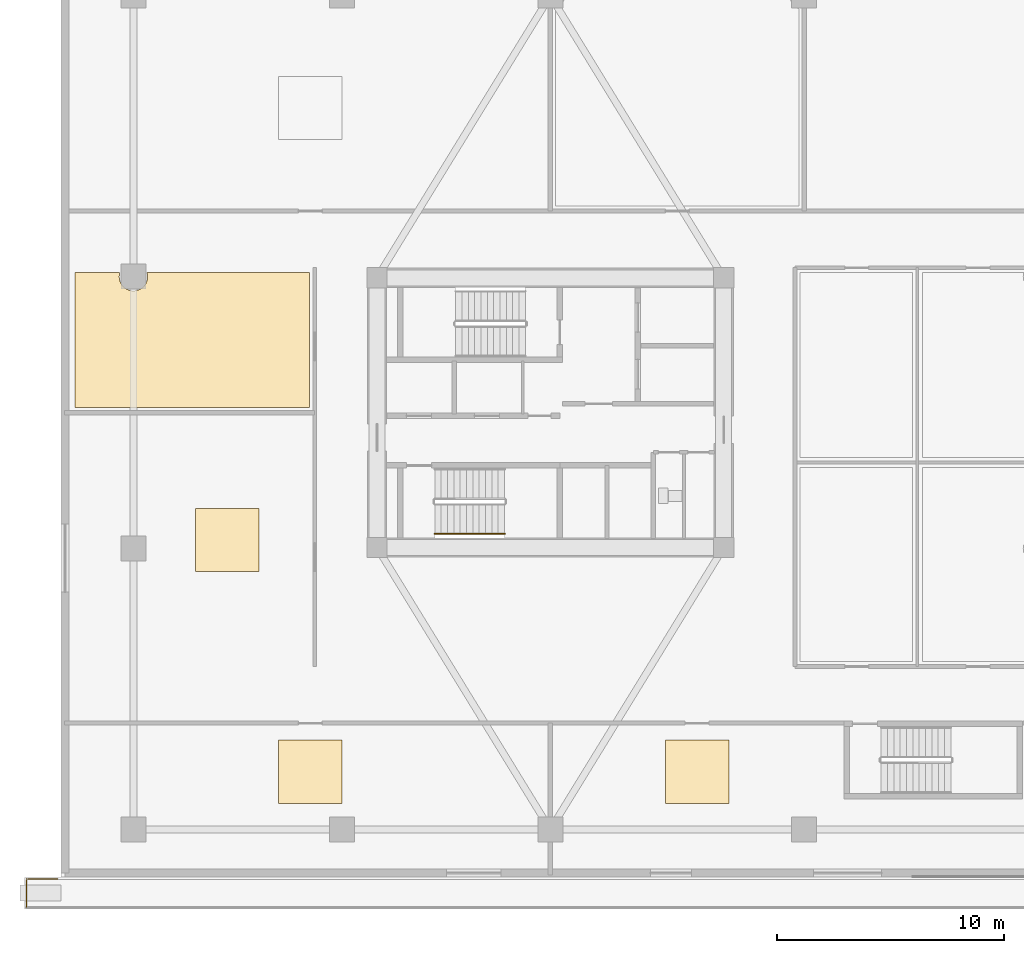
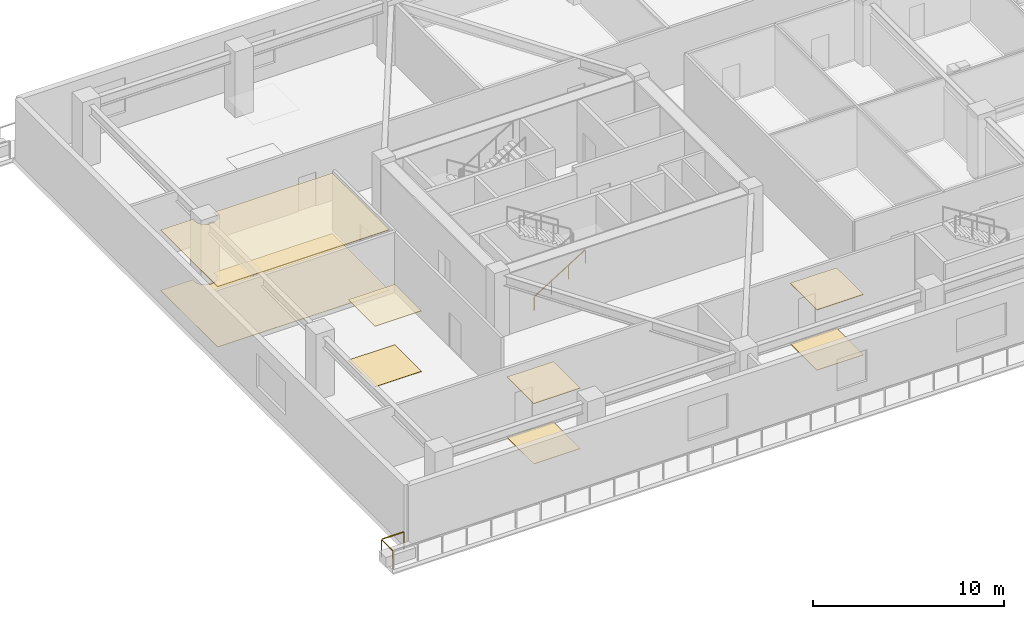
# One storey, part 13 of 22: 8 coverings, 2 railings.
"""IFC4 building model written with IfcOpenShell, lengths in metres."""

from ifc_helpers import new_model, si_unit, direction, frame, origin, origin_2d, place, context, subcontext, project, spatial, polyline, rectangle, outline, extrude, material, layer, layer_set, type_object, element, save


model = new_model("IFC4")

# Units and contexts
model_context = context("Model", 3, precision=1e-05, world=origin(), true_north=direction((0.0, 1.0)))
body_context = subcontext(model_context, "Body", "Model", "MODEL_VIEW")
ifc_project = project(units=[si_unit("LENGTHUNIT", "METRE"), si_unit("AREAUNIT", "SQUARE_METRE"), si_unit("VOLUMEUNIT", "CUBIC_METRE"), si_unit("PLANEANGLEUNIT", "RADIAN"), si_unit("MASSUNIT", "GRAM", prefix="KILO")], contexts=[model_context])

# Site, building, storey
site_placement = place(None, origin())
site = spatial("IfcSite", under=ifc_project, at=site_placement, CompositionType="ELEMENT")
building_placement = place(site_placement, origin())
building = spatial("IfcBuilding", under=site, at=building_placement, Name="Norrkilde Senior Care Towers", CompositionType="ELEMENT")
storey_placement = place(building_placement, frame((0.0, 0.0, 12.60009765625)))
storey = spatial("IfcBuildingStorey", under=building, at=storey_placement, Name="L03", CompositionType="ELEMENT", Elevation=12.60009765625)

# Coverings
ifc_material_1 = material(Name="Nordic Ash Timber", Category="wood")
ifc_layer_1 = layer(ifc_material_1, 0.044921875)
ifc_layer_set_1 = layer_set([ifc_layer_1], Name="Nordic Ash Timber")
covering_type_1 = type_object("IfcCoveringType", Name="Acoustic Ash Timber Slatted Ceiling 45", PredefinedType="CEILING", material=ifc_layer_set_1)
covering_1_placement = place(storey_placement, frame((0.0, 0.0, 3.8349609375)))
element("IfcCovering", 1, at=covering_1_placement, inside=storey, type_object=covering_type_1, Name="L03 Suspended Ceiling 0071", PredefinedType="CEILING", context=body_context, shape_type="SweptSolid", body=[
    extrude(outline(polyline([(-38.6201171875, 0.219970703125), (-48.97998046875, 0.219970703125), (-48.97998046875, 6.179931640625), (-47.00146484375, 6.179931640625), (-47.008544921875, 6.1630859375), (-47.030029296875, 6.0), (-47.008544921875, 5.8369140625), (-46.945556640625, 5.68505859375), (-46.845458984375, 5.554443359375), (-46.715087890625, 5.454345703125), (-46.56298828125, 5.391357421875), (-46.39990234375, 5.3701171875), (-46.237060546875, 5.391357421875), (-46.0849609375, 5.454345703125), (-45.95458984375, 5.554443359375), (-45.8544921875, 5.68505859375), (-45.79150390625, 5.8369140625), (-45.77001953125, 6.0), (-45.79150390625, 6.1630859375), (-45.798583984375, 6.179931640625), (-38.6201171875, 6.179931640625), (-38.6201171875, 0.219970703125)])), origin(), (0.0, 0.0, 1.0), 0.044921875),
])
covering_2_placement = place(storey_placement, frame((0.0, 0.0, 3.8349609375)))
element("IfcCovering", 2, at=covering_2_placement, inside=storey, type_object=covering_type_1, Name="L03 Suspended Ceiling 0092", PredefinedType="CEILING", context=body_context, shape_type="SweptSolid", body=[
    extrude(outline(polyline([(-22.925048828125, -17.2548828125), (-22.925048828125, -14.455078125), (-20.125, -14.455078125), (-20.125, -17.2548828125), (-22.925048828125, -17.2548828125)])), origin(), (0.0, 0.0, 1.0), 0.044921875),
])

# Railing
ifc_material_2 = material(Name="Anodised Aluminium", Category="aluminium")
railing_type_1 = type_object("IfcRailingType", Name="Balcony Swirl Ribbon Guardrail 1150", PredefinedType="GUARDRAIL", material=ifc_material_2)
railing_1_placement = place(storey_placement, frame((-51.1201171875, -21.820068359375, 0.0)))
element("IfcRailing", 3, at=railing_1_placement, inside=storey, type_object=railing_type_1, Name="L03 Perimeter Safety Guard 01", PredefinedType="GUARDRAIL", context=body_context, shape_type="SweptSolid", body=[
    extrude(rectangle(XDim=0.048095703125, YDim=0.048095703125, at=origin_2d()), frame((0.0, 0.0, 1.1259765625), z_axis=(0.0, 1.0, 0.0), x_axis=(-1.0, 0.0, 0.0)), (0.0, 0.0, 1.0), 1.1943359375),
    extrude(rectangle(XDim=0.048095703125, YDim=0.048095703125, at=origin_2d()), frame((0.040771484375, 1.235107421875, 1.1259765625), z_axis=(1.0, 0.0, 0.0), x_axis=(0.0, 1.0, 0.0)), (0.0, 0.0, 1.0), 1.32080078125),
    extrude(rectangle(XDim=0.0419921875, YDim=0.0419921875, at=origin_2d()), origin(), (0.0, 0.0, 1.0), 1.099853515625),
    extrude(rectangle(XDim=0.0419921875, YDim=0.0419921875, at=origin_2d()), frame((0.0, 1.235107421875, 0.0)), (0.0, 0.0, 1.0), 1.099853515625),
    extrude(rectangle(XDim=0.0419921875, YDim=0.0419921875, at=origin_2d()), frame((1.361572265625, 1.235107421875, 0.0)), (0.0, 0.0, 1.0), 1.099853515625),
])

# Coverings
ifc_material_3 = material(Name="Gypsum Acoustic Board")
ifc_layer_2 = layer(ifc_material_3, 0.030029296875)
ifc_layer_set_2 = layer_set([ifc_layer_2], Name="Gypsum Acoustic Board")
covering_type_2 = type_object("IfcCoveringType", Name="Medical Cleanable Gypsum Ceiling 30", PredefinedType="CEILING", material=ifc_layer_set_2)
covering_3_placement = place(storey_placement, frame((0.0, 0.0, 3.849853515625)))
element("IfcCovering", 4, at=covering_3_placement, inside=storey, type_object=covering_type_2, Name="L03 Suspended Ceiling 0070", PredefinedType="CEILING", context=body_context, shape_type="SweptSolid", body=[
    extrude(outline(polyline([(-43.662353515625, -7.019775390625), (-43.662353515625, -4.2197265625), (-40.8623046875, -4.2197265625), (-40.8623046875, -7.019775390625), (-43.662353515625, -7.019775390625)])), origin(), (0.0, 0.0, 1.0), 0.030029296875),
])
covering_4_placement = place(storey_placement, frame((0.0, 0.0, 3.849853515625)))
element("IfcCovering", 5, at=covering_4_placement, inside=storey, type_object=covering_type_2, Name="L03 Suspended Ceiling 0091", PredefinedType="CEILING", context=body_context, shape_type="SweptSolid", body=[
    extrude(outline(polyline([(-40.0, -17.2548828125), (-40.0, -14.455078125), (-37.199951171875, -14.455078125), (-37.199951171875, -17.2548828125), (-40.0, -17.2548828125)])), origin(), (0.0, 0.0, 1.0), 0.030029296875),
])
ifc_material_4 = material(Name="Slip-Resistant Porcelain Stone", Category="masonry")
ifc_layer_3 = layer(ifc_material_4, 0.02490234375)
ifc_layer_set_3 = layer_set([ifc_layer_3], Name="Slip-Resistant Porcelain Stone")
covering_type_3 = type_object("IfcCoveringType", Name="Slip-Resistant Porcelain Flooring 25", PredefinedType="FLOORING", material=ifc_layer_set_3)
covering_5_placement = place(storey_placement, origin())
element("IfcCovering", 6, at=covering_5_placement, inside=storey, type_object=covering_type_3, Name="L03 Floor Finish 0070", PredefinedType="FLOORING", context=body_context, shape_type="SweptSolid", body=[
    extrude(outline(polyline([(-43.662353515625, -7.019775390625), (-43.662353515625, -4.2197265625), (-40.8623046875, -4.2197265625), (-40.8623046875, -7.019775390625), (-43.662353515625, -7.019775390625)])), origin(), (0.0, 0.0, 1.0), 0.02490234375),
])
covering_6_placement = place(storey_placement, origin())
element("IfcCovering", 7, at=covering_6_placement, inside=storey, type_object=covering_type_3, Name="L03 Floor Finish 0071", PredefinedType="FLOORING", context=body_context, shape_type="SweptSolid", body=[
    extrude(outline(polyline([(-38.6201171875, 0.219970703125), (-48.97998046875, 0.219970703125), (-48.97998046875, 6.179931640625), (-47.00146484375, 6.179931640625), (-47.008544921875, 6.1630859375), (-47.030029296875, 6.0), (-47.008544921875, 5.8369140625), (-46.945556640625, 5.68505859375), (-46.845458984375, 5.554443359375), (-46.715087890625, 5.454345703125), (-46.56298828125, 5.391357421875), (-46.39990234375, 5.3701171875), (-46.237060546875, 5.391357421875), (-46.0849609375, 5.454345703125), (-45.95458984375, 5.554443359375), (-45.8544921875, 5.68505859375), (-45.79150390625, 5.8369140625), (-45.77001953125, 6.0), (-45.79150390625, 6.1630859375), (-45.798583984375, 6.179931640625), (-38.6201171875, 6.179931640625), (-38.6201171875, 0.219970703125)])), origin(), (0.0, 0.0, 1.0), 0.02490234375),
])
covering_7_placement = place(storey_placement, origin())
element("IfcCovering", 8, at=covering_7_placement, inside=storey, type_object=covering_type_3, Name="L03 Floor Finish 0091", PredefinedType="FLOORING", context=body_context, shape_type="SweptSolid", body=[
    extrude(outline(polyline([(-40.0, -17.2548828125), (-40.0, -14.455078125), (-37.199951171875, -14.455078125), (-37.199951171875, -17.2548828125), (-40.0, -17.2548828125)])), origin(), (0.0, 0.0, 1.0), 0.02490234375),
])
covering_8_placement = place(storey_placement, origin())
element("IfcCovering", 9, at=covering_8_placement, inside=storey, type_object=covering_type_3, Name="L03 Floor Finish 0092", PredefinedType="FLOORING", context=body_context, shape_type="SweptSolid", body=[
    extrude(outline(polyline([(-22.925048828125, -17.2548828125), (-22.925048828125, -14.455078125), (-20.125, -14.455078125), (-20.125, -17.2548828125), (-22.925048828125, -17.2548828125)])), origin(), (0.0, 0.0, 1.0), 0.02490234375),
])

# Railing
railing_type_2 = type_object("IfcRailingType", Name="Wall and Stair Handrail 900", PredefinedType="HANDRAIL", material=ifc_material_1)
railing_2_placement = place(storey_placement, frame((-33.10009765625, -5.35009765625, 0.1748046875)))
element("IfcRailing", 10, at=railing_2_placement, inside=storey, type_object=railing_type_2, Name="L03 ST-W2 stair handrail 1", PredefinedType="HANDRAIL", context=body_context, shape_type="SweptSolid", body=[
    extrude(rectangle(XDim=0.048095703125, YDim=0.048095703125, at=origin_2d()), frame((0.0, 0.0, 0.8759765625), z_axis=(0.847998304005, 0.0, 0.529998940003), x_axis=(0.0, 1.0, 0.0)), (0.0, 0.0, 1.0), 3.632080078125),
    extrude(rectangle(XDim=0.0419921875, YDim=0.0419921875, at=origin_2d()), origin(), (0.0, 0.0, 1.0), 0.849853515625),
    extrude(rectangle(XDim=0.0419921875, YDim=0.0419921875, at=origin_2d()), frame((1.026611328125, 0.0, 0.6416015625)), (0.0, 0.0, 1.0), 0.849853515625),
    extrude(rectangle(XDim=0.0419921875, YDim=0.0419921875, at=origin_2d()), frame((2.053466796875, 0.0, 1.283447265625)), (0.0, 0.0, 1.0), 0.849853515625),
    extrude(rectangle(XDim=0.0419921875, YDim=0.0419921875, at=origin_2d()), frame((3.080078125, 0.0, 1.925048828125)), (0.0, 0.0, 1.0), 0.849853515625),
])

save(model, "model.ifc")
